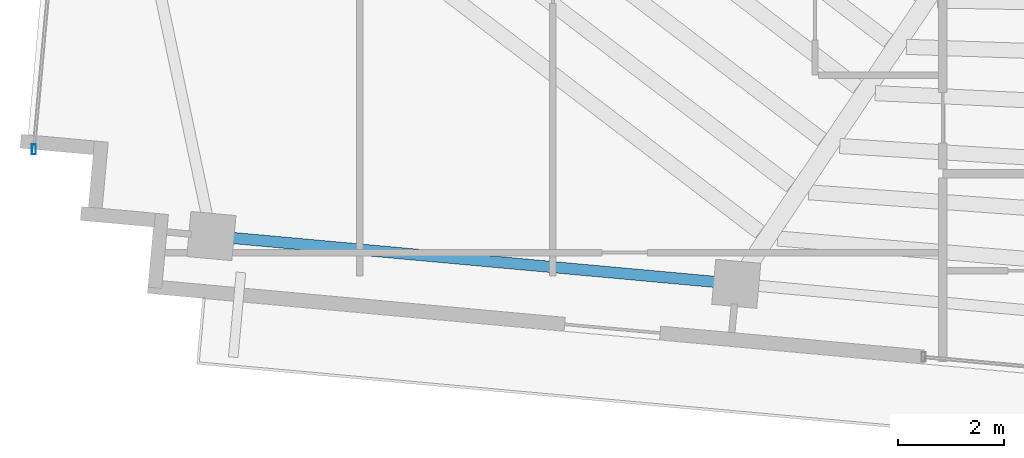
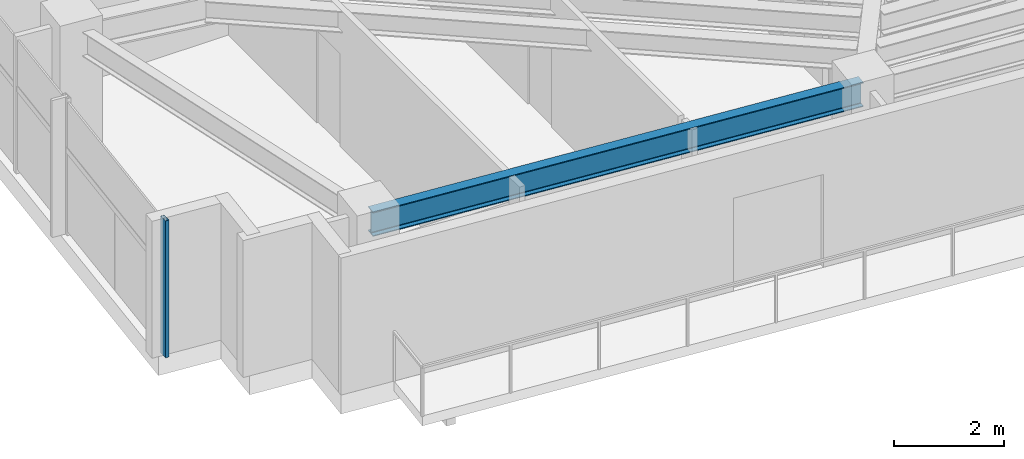
# One storey, part 2 of 22: 1 beam, 1 member, 1 element without a shape of its own.
"""IFC4 building model written with IfcOpenShell, lengths in metres."""

import ifcopenshell
import ifcopenshell.guid

model = None  # the IFC model being written
_history = None  # IfcOwnerHistory: only IFC2X3 demands one
_inside = {}  # id of a spatial element -> (the spatial element, [elements in it])
_under = {}  # id of a project, library or spatial element -> (it, [spatial elements below it])
_declared = {}  # id of a project -> (the project, [libraries it declares])
_typed = {}  # id of a type object -> (the type object, [elements of that type])
_made_of = {}  # id of a material, layer set ... -> (it, [elements and type objects made of it])


def new_model(schema):
    """Start an empty IFC model of exactly this schema.

    Asked for "IFC4X3", IfcOpenShell would pick the latest addendum, in which some entities
    have other attributes; the version numbers below select the first issue.
    IFC2X3 requires an IfcOwnerHistory on every rooted entity: one is made here for all.
    """
    global model, _history
    if schema == "IFC4X3":
        model = ifcopenshell.file(schema_version=(4, 3, 0, 0))
    else:
        model = ifcopenshell.file(schema=schema)
    _inside.clear()
    _under.clear()
    _declared.clear()
    _typed.clear()
    _made_of.clear()
    _history = None
    if model.schema == "IFC2X3":
        org = make("IfcOrganization", Name="unknown")
        user = make(
            "IfcPersonAndOrganization",
            ThePerson=make("IfcPerson", FamilyName="unknown"),
            TheOrganization=org,
        )
        app = make(
            "IfcApplication",
            ApplicationDeveloper=org,
            Version="unknown",
            ApplicationFullName="unknown",
            ApplicationIdentifier="unknown",
        )
        _history = make(
            "IfcOwnerHistory",
            OwningUser=user,
            OwningApplication=app,
            ChangeAction="ADDED",
            CreationDate=0,
        )
    return model


def make(cls, **values):
    """One entity of the class cls with the attributes given. An attribute that is None is left unset."""
    return model.create_entity(
        cls, **{name: value for name, value in values.items() if value is not None}
    )


def rooted(cls, **values):
    """An entity with a GlobalId (a new one), such as an element, a storey or a relation."""
    return make(cls, GlobalId=ifcopenshell.guid.new(), OwnerHistory=_history, **values)


def si_unit(unit_type, name, prefix=None):
    """IfcSIUnit, for example si_unit("LENGTHUNIT", "METRE", prefix="MILLI")."""
    return make("IfcSIUnit", UnitType=unit_type, Prefix=prefix, Name=name)


def assignment(units):
    """IfcUnitAssignment: the units of a project."""
    return None if units is None else make("IfcUnitAssignment", Units=units)


def point(xyz):
    """IfcCartesianPoint."""
    return None if xyz is None else make("IfcCartesianPoint", Coordinates=xyz)


def direction(xyz):
    """IfcDirection."""
    return None if xyz is None else make("IfcDirection", DirectionRatios=xyz)


def frame(location, z_axis=None, x_axis=None):
    """IfcAxis2Placement3D, a coordinate frame: its origin and axes. An axis left out is left unset."""
    return make(
        "IfcAxis2Placement3D",
        Location=point(location),
        Axis=direction(z_axis),
        RefDirection=direction(x_axis),
    )


def frame_2d(location, x_axis=None):
    """IfcAxis2Placement2D, a coordinate frame in the plane: its origin and x axis."""
    return make(
        "IfcAxis2Placement2D", Location=point(location), RefDirection=direction(x_axis)
    )


def origin():
    """The frame at (0, 0, 0) with its axes left unset."""
    return frame((0.0, 0.0, 0.0))


def origin_2d():
    """The frame at (0, 0) in the plane with its x axis left unset."""
    return frame_2d((0.0, 0.0))


def place(relative_to, where):
    """IfcLocalPlacement: puts the frame where relative to a parent placement (None: the world)."""
    return make(
        "IfcLocalPlacement", PlacementRelTo=relative_to, RelativePlacement=where
    )


def context(
    kind, dimensions, precision=None, world=None, true_north=None, identifier=None
):
    """IfcGeometricRepresentationContext, for example the 3D "Model" context."""
    return make(
        "IfcGeometricRepresentationContext",
        ContextIdentifier=identifier,
        ContextType=kind,
        CoordinateSpaceDimension=dimensions,
        Precision=precision,
        WorldCoordinateSystem=world,
        TrueNorth=true_north,
    )


def subcontext(parent, identifier, kind, view, scale=None):
    """IfcGeometricRepresentationSubContext, for example "Body" below "Model"."""
    return make(
        "IfcGeometricRepresentationSubContext",
        ContextIdentifier=identifier,
        ContextType=kind,
        ParentContext=parent,
        TargetScale=scale,
        TargetView=view,
    )


def project(units=None, contexts=None):
    """IfcProject with its units and contexts."""
    return rooted(
        "IfcProject",
        Name="project",
        RepresentationContexts=contexts,
        UnitsInContext=assignment(units),
    )


def spatial(cls, under=None, at=None, **own):
    """A site, building, storey or space (cls), placed at a placement, below another one or the project."""
    s = rooted(cls, ObjectPlacement=at, **own)
    if under is not None:
        _under.setdefault(under.id(), (under, []))[1].append(s)
    return s


def profile(cls, at=None, kind="AREA", **sizes):
    """A parametric profile (cls). Its sizes go by their IFC names, for example OverallWidth=200.0."""
    return make(cls, ProfileType=kind, Position=at, **sizes)


def hollow_rectangle(**sizes):
    """IfcRectangleHollowProfileDef."""
    return profile("IfcRectangleHollowProfileDef", **sizes)


def i_section(**sizes):
    """IfcIShapeProfileDef."""
    return profile("IfcIShapeProfileDef", **sizes)


def extrude(swept, where, along, depth):
    """IfcExtrudedAreaSolid: the profile swept, set in the frame where, extruded along a direction by depth."""
    return make(
        "IfcExtrudedAreaSolid",
        SweptArea=swept,
        Position=where,
        ExtrudedDirection=direction(along),
        Depth=depth,
    )


def shape(context_of_items, identifier, shape_type, items):
    """IfcShapeRepresentation: the items that make up one representation, for example the "Body"."""
    return make(
        "IfcShapeRepresentation",
        ContextOfItems=context_of_items,
        RepresentationIdentifier=identifier,
        RepresentationType=shape_type,
        Items=items,
    )


def source(mapping_origin, context_of_items, identifier, shape_type, items):
    """IfcRepresentationMap: a shape defined once, which mapped items show again and again."""
    return make(
        "IfcRepresentationMap",
        MappingOrigin=mapping_origin,
        MappedRepresentation=shape(context_of_items, identifier, shape_type, items),
    )


def transform(
    local_origin,
    x_axis=None,
    y_axis=None,
    z_axis=None,
    scale=None,
    scale2=None,
    scale3=None,
    uniform=True,
):
    """IfcCartesianTransformationOperator3D, or its non-uniform kind. x_axis, y_axis, z_axis: its Axis1, 2, 3."""
    if uniform:
        return make(
            "IfcCartesianTransformationOperator3D",
            Axis1=direction(x_axis),
            Axis2=direction(y_axis),
            LocalOrigin=point(local_origin),
            Scale=scale,
            Axis3=direction(z_axis),
        )
    return make(
        "IfcCartesianTransformationOperator3DnonUniform",
        Axis1=direction(x_axis),
        Axis2=direction(y_axis),
        LocalOrigin=point(local_origin),
        Scale=scale,
        Axis3=direction(z_axis),
        Scale2=scale2,
        Scale3=scale3,
    )


def mapped(mapping_source, mapping_target):
    """IfcMappedItem: shows the shape of a source again, moved by a transform."""
    return make(
        "IfcMappedItem", MappingSource=mapping_source, MappingTarget=mapping_target
    )


def material(Name=None, Category=None):
    """IfcMaterial."""
    return make("IfcMaterial", Name=Name, Category=Category)


def material_profile(
    of_material, cross_section, Name=None, Category=None, Priority=None
):
    """IfcMaterialProfile: a cross section and its material."""
    return make(
        "IfcMaterialProfile",
        Name=Name,
        Material=of_material,
        Profile=cross_section,
        Priority=Priority,
        Category=Category,
    )


def profile_set(profiles, Name=None, composite=None):
    """IfcMaterialProfileSet."""
    return make(
        "IfcMaterialProfileSet",
        Name=Name,
        MaterialProfiles=profiles,
        CompositeProfile=composite,
    )


def made_of(thing, what):
    """Note that an element or type object is made of a material, layer set ...; save() writes the relation."""
    if what is not None:
        _made_of.setdefault(what.id(), (what, []))[1].append(thing)
    return thing


def type_object(cls, material=None, **own):
    """A type object (cls), such as IfcWallType, which elements share."""
    return made_of(rooted(cls, **own), material)


def type_shapes(of_type, sources):
    """Give a type object the sources (RepresentationMaps) that its elements show as mapped items."""
    of_type.RepresentationMaps = sources


def element(
    cls,
    number,
    at=None,
    inside=None,
    cuts=None,
    type_object=None,
    material=None,
    context=None,
    identifier="Body",
    shape_type=None,
    held_by="IfcProductDefinitionShape",
    body=None,
    shapes=None,
    **own,
):
    """One element of the class cls, such as IfcWall. Its Tag is "e" and its number.

    at: its placement. inside: the storey or other place that contains it. cuts: it is an
    opening in that element (IfcRelVoidsElement). A single representation is given by context,
    identifier, shape_type and body (its items); several are given by shapes. held_by: the class
    of the entity that holds the representations. save() writes the other relations.
    """
    e = rooted(cls, Tag="e%d" % number, ObjectPlacement=at, **own)
    if body is not None:
        shapes = [shape(context, identifier, shape_type, body)]
    if shapes is not None:
        e.Representation = make(held_by, Representations=shapes)
    if inside is not None:
        _inside.setdefault(inside.id(), (inside, []))[1].append(e)
    if cuts is not None:
        rooted(
            "IfcRelVoidsElement", RelatingBuildingElement=cuts, RelatedOpeningElement=e
        )
    if type_object is not None:
        _typed.setdefault(type_object.id(), (type_object, []))[1].append(e)
    return made_of(e, material)


def aggregate(whole, parts):
    """IfcRelAggregates: a whole, such as a stair, and the parts it consists of."""
    return rooted("IfcRelAggregates", RelatingObject=whole, RelatedObjects=parts)


def save(model, path):
    """Write the relations noted so far, then the file.

    IfcRelAggregates (storeys below a building ...), IfcRelContainedInSpatialStructure (elements
    in a storey), IfcRelDefinesByType, IfcRelAssociatesMaterial and IfcRelDeclares: one each for
    every whole, place, type object, material and project.
    """
    for whole, parts in _under.values():
        aggregate(whole, parts)
    for where, things in _inside.values():
        rooted(
            "IfcRelContainedInSpatialStructure",
            RelatedElements=things,
            RelatingStructure=where,
        )
    for kind, things in _typed.values():
        rooted("IfcRelDefinesByType", RelatedObjects=things, RelatingType=kind)
    for what, things in _made_of.values():
        rooted("IfcRelAssociatesMaterial", RelatedObjects=things, RelatingMaterial=what)
    for by, libraries in _declared.values():
        rooted("IfcRelDeclares", RelatingContext=by, RelatedDefinitions=libraries)
    model.write(path)


model = new_model("IFC4")

# Units and contexts
model_context = context("Model", 3, precision=1e-05, world=origin(), true_north=direction((0.0, 1.0)))
body_context = subcontext(model_context, "Body", "Model", "MODEL_VIEW")
ifc_project = project(units=[si_unit("LENGTHUNIT", "METRE"), si_unit("AREAUNIT", "SQUARE_METRE"), si_unit("VOLUMEUNIT", "CUBIC_METRE"), si_unit("PLANEANGLEUNIT", "RADIAN"), si_unit("MASSUNIT", "GRAM", prefix="KILO")], contexts=[model_context])

# Site, building, storey
site_placement = place(None, origin())
site = spatial("IfcSite", under=ifc_project, at=site_placement, CompositionType="ELEMENT")
building_placement = place(site_placement, origin())
building = spatial("IfcBuilding", under=site, at=building_placement, Name="Astriad Promenade Condominiums", CompositionType="ELEMENT")
storey_placement = place(building_placement, frame((0.0, 0.0, 216.60009765625)))
storey = spatial("IfcBuildingStorey", under=building, at=storey_placement, Name="L62", CompositionType="ELEMENT", Elevation=216.60009765625)

# Beam
ifc_material_1 = material(Name="Steel ASTM A992 Grade 50", Category="steel")
ifc_material_profile_1 = material_profile(ifc_material_1, i_section(OverallWidth=0.210693359375, OverallDepth=0.53955078125, WebThickness=0.01171875, FlangeThickness=0.018798828125, FilletRadius=0.0166015625, at=origin_2d()), Name="W21X73")
ifc_profile_set_1 = profile_set([ifc_material_profile_1], Name="Steel ASTM A992 Grade 50")
beam_type = type_object("IfcBeamType", Name="STEEL SPANDREL BEAM W21X73", PredefinedType="SPANDREL", material=ifc_profile_set_1)
shared_shape_1 = source(origin(), body_context, "Body", "SweptSolid", [
    extrude(i_section(OverallWidth=0.210693359375, OverallDepth=0.53955078125, WebThickness=0.01171875, FlangeThickness=0.018798828125, FilletRadius=0.0166015625, at=origin_2d()), origin(), (0.0, 0.0, 1.0), 9.8203125),
])
type_shapes(beam_type, [shared_shape_1])
beam_placement = place(storey_placement, frame((12.421630859375, 12.102783203125, 2.77001953125), z_axis=(0.995883419264, -0.090643340822, 0.0), x_axis=(0.090643340822, 0.995883419264, 0.0)))
element("IfcBeam", 1, at=beam_placement, inside=storey, type_object=beam_type, Name="Perimeter Spandrel Beam SP-S1-L62", PredefinedType="SPANDREL", context=body_context, shape_type="MappedRepresentation", body=[
    mapped(shared_shape_1, transform((0.0, 0.0, 0.0), scale=1.0)),
])

# Curtain wall, member
ifc_material_2 = material(Name="Anodised aluminium Black Dark Glass Unitised", Category="aluminium")
curtain_wall_type = type_object("IfcCurtainWallType", Name="CW-B5-DARK", PredefinedType="USERDEFINED", material=ifc_material_2)
curtain_wall_placement = place(storey_placement, origin())
curtain_wall = element("IfcCurtainWall", 2, at=curtain_wall_placement, inside=storey, type_object=curtain_wall_type, Name="CW-L62-W", ObjectType="UNITISED_CURTAIN_WALL", PredefinedType="USERDEFINED")
ifc_material_3 = material(Name="Anodised aluminium 6063-T6 Black", Category="aluminium")
ifc_material_profile_2 = material_profile(ifc_material_3, hollow_rectangle(XDim=0.074951171875, YDim=0.18505859375, WallThickness=0.00439453125, at=origin_2d()), Name="ALU-MUL-75X185")
ifc_profile_set_2 = profile_set([ifc_material_profile_2], Name="Anodised aluminium 6063-T6 Black")
member_type = type_object("IfcMemberType", Name="MUL-ALU-MUL-75X185", PredefinedType="MULLION", material=ifc_profile_set_2)
shared_shape_2 = source(origin(), body_context, "Body", "SweptSolid", [
    extrude(hollow_rectangle(XDim=0.074951171875, YDim=0.18505859375, WallThickness=0.00439453125, at=origin_2d()), origin(), (0.0, 0.0, 1.0), 3.039794921875),
])
type_shapes(member_type, [shared_shape_2])
member_placement = place(storey_placement, frame((9.0458984375, 13.7353515625, 0.0), z_axis=(0.0, 0.0, 1.0), x_axis=(1.0, 0.0, 0.0)))
member = element("IfcMember", 3, at=member_placement, type_object=member_type, Name="CW-L62-W-MUL-00", PredefinedType="MULLION", context=body_context, shape_type="MappedRepresentation", body=[
    mapped(shared_shape_2, transform((0.0, 0.0, 0.0), scale=1.0)),
])
aggregate(curtain_wall, [member])

save(model, "model.ifc")
